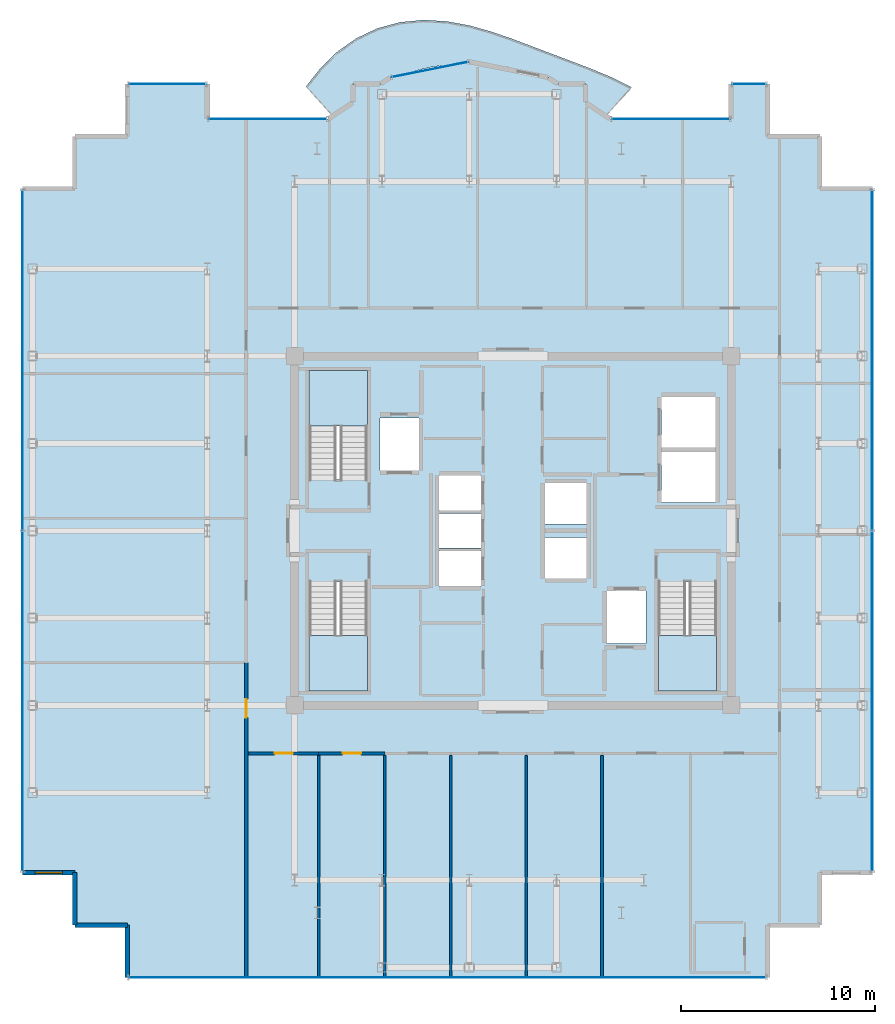
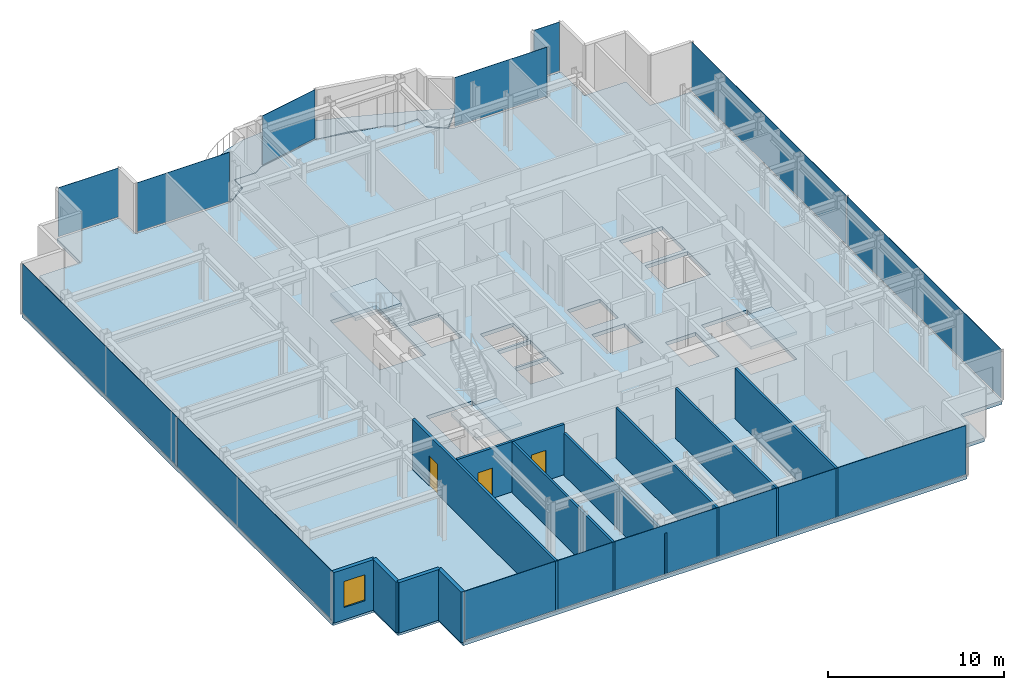
# One storey, part 12 of 18: 12 walls, 10 plates, 5 slabs, 3 doors, 1 window, 4 openings, 11 elements without a shape of their own.
"""IFC4 building model written with IfcOpenShell, lengths in metres."""

from ifc_helpers import new_model, si_unit, direction, frame, frame_2d, origin, origin_2d, place, context, subcontext, project, spatial, polyline, rectangle, outline, extrude, source, transform, mapped, material, layer, layer_set, type_object, element, fill, aggregate, save


model = new_model("IFC4")

# Units and contexts
model_context = context("Model", 3, precision=1e-05, world=origin(), true_north=direction((0.0, 1.0)))
body_context = subcontext(model_context, "Body", "Model", "MODEL_VIEW")
ifc_project = project(units=[si_unit("LENGTHUNIT", "METRE"), si_unit("AREAUNIT", "SQUARE_METRE"), si_unit("VOLUMEUNIT", "CUBIC_METRE"), si_unit("PLANEANGLEUNIT", "RADIAN"), si_unit("MASSUNIT", "GRAM", prefix="KILO")], contexts=[model_context])

# Site, building, storey
site_placement = place(None, origin())
site = spatial("IfcSite", under=ifc_project, at=site_placement, CompositionType="ELEMENT")
building_placement = place(site_placement, origin())
building = spatial("IfcBuilding", under=site, at=building_placement, Name="Nefas-Gora Pilgrimage Tower", CompositionType="ELEMENT")
storey_placement = place(building_placement, frame((0.0, 0.0, 314.0)))
storey = spatial("IfcBuildingStorey", under=building, at=storey_placement, Name="L79", CompositionType="ELEMENT", Elevation=314.0)

# Slabs
ifc_material_1 = material(Name="Concrete C40/50", Category="concrete")
ifc_layer_1 = layer(ifc_material_1, 0.22509765625)
ifc_layer_set_1 = layer_set([ifc_layer_1], Name="Concrete C40/50")
slab_type_1 = type_object("IfcSlabType", Name="SLB-BAL-P4", PredefinedType="FLOOR", material=ifc_layer_set_1)
slab_1_placement = place(storey_placement, frame((0.0, 0.0, -0.22509765625)))
element("IfcSlab", 1, at=slab_1_placement, inside=storey, type_object=slab_type_1, Name="L79 Sinusoidal Lobe Balcony Slab N (Phase 4)", PredefinedType="FLOOR", context=body_context, shape_type="SweptSolid", body=[
    extrude(outline(polyline([(-9.28759765625, 21.385986328125), (-9.224609375, 21.427978515625), (-8.538330078125, 21.9912109375), (-8.260009765625, 22.179931640625), (-8.260009765625, 23.02001953125), (-8.260009765625, 23.02099609375), (-8.259765625, 23.02197265625), (-8.259521484375, 23.02294921875), (-8.25927734375, 23.023681640625), (-8.2587890625, 23.024658203125), (-8.25830078125, 23.025634765625), (-8.2578125, 23.0263671875), (-8.257080078125, 23.027099609375), (-8.25634765625, 23.027587890625), (-8.255615234375, 23.0283203125), (-8.254638671875, 23.02880859375), (-8.25390625, 23.029296875), (-8.2529296875, 23.029541015625), (-8.251953125, 23.02978515625), (-8.2509765625, 23.030029296875), (-8.25, 23.030029296875), (-6.8271484375, 23.030029296875), (-6.31298828125, 23.37353515625), (-6.31201171875, 23.3740234375), (-6.311279296875, 23.37451171875), (-6.310302734375, 23.375), (-6.309326171875, 23.375), (-5.63037109375, 23.51025390625), (-5.102783203125, 23.685302734375), (-4.165283203125, 23.904052734375), (-3.211669921875, 24.035888671875), (-2.919921875, 24.04931640625), (-2.251953125, 24.18212890625), (-2.2509765625, 24.182373046875), (-2.25, 24.182373046875), (-2.2490234375, 24.182373046875), (-2.248046875, 24.18212890625), (-1.580078125, 24.04931640625), (-1.288330078125, 24.035888671875), (-0.334716796875, 23.904052734375), (0.602783203125, 23.685302734375), (1.13037109375, 23.51025390625), (1.809326171875, 23.375), (1.810302734375, 23.375), (1.811279296875, 23.37451171875), (1.81201171875, 23.3740234375), (1.81298828125, 23.37353515625), (2.3271484375, 23.030029296875), (3.75, 23.030029296875), (3.7509765625, 23.030029296875), (3.751953125, 23.02978515625), (3.7529296875, 23.029541015625), (3.75390625, 23.029296875), (3.754638671875, 23.02880859375), (3.755615234375, 23.0283203125), (3.75634765625, 23.027587890625), (3.757080078125, 23.027099609375), (3.7578125, 23.0263671875), (3.75830078125, 23.025634765625), (3.7587890625, 23.024658203125), (3.75927734375, 23.023681640625), (3.759521484375, 23.02294921875), (3.759765625, 23.02197265625), (3.760009765625, 23.02099609375), (3.760009765625, 23.02001953125), (3.760009765625, 22.179931640625), (4.038330078125, 21.9912109375), (4.724609375, 21.427978515625), (4.78759765625, 21.385986328125), (6.114013671875, 22.859375), (5.07080078125, 23.373779296875), (4.025390625, 23.810302734375), (2.994384765625, 24.20458984375), (1.978759765625, 24.58642578125), (0.965576171875, 24.9716796875), (-0.06494140625, 25.359130859375), (-1.1328125, 25.7275390625), (-2.25, 26.041015625), (-3.41552734375, 26.25390625), (-4.61328125, 26.321533203125), (-5.814208984375, 26.20751953125), (-6.97998046875, 25.89208984375), (-8.072021484375, 25.375732421875), (-9.05810546875, 24.6796875), (-9.9189453125, 23.840087890625), (-10.653076171875, 22.902587890625), (-9.28759765625, 21.385986328125)])), origin(), (0.0, 0.0, 1.0), 0.22509765625),
])
ifc_layer_2 = layer(ifc_material_1, 0.25)
ifc_layer_set_2 = layer_set([ifc_layer_2], Name="Concrete C40/50")
slab_type_2 = type_object("IfcSlabType", Name="SLB-TWR-260", PredefinedType="FLOOR", material=ifc_layer_set_2)
slab_2_placement = place(storey_placement, frame((0.0, 0.0, -0.25)))
element("IfcSlab", 2, at=slab_2_placement, inside=storey, type_object=slab_type_2, Name="L79 Structural Floor Slab", PredefinedType="FLOOR", context=body_context, shape_type="SweptSolid", body=[
    extrude(outline(polyline([(15.820068359375, -17.6201171875), (18.52001953125, -17.6201171875), (18.52001953125, 17.6201171875), (15.820068359375, 17.6201171875), (15.820068359375, 20.320068359375), (13.1201171875, 20.320068359375), (13.1201171875, 23.02001953125), (11.25, 23.02001953125), (11.25, 21.219970703125), (5.01806640625, 21.219970703125), (3.75, 22.0673828125), (3.75, 23.02001953125), (2.32421875, 23.02001953125), (1.807373046875, 23.365234375), (-2.25, 24.17236328125), (-6.307373046875, 23.365234375), (-6.82421875, 23.02001953125), (-8.25, 23.02001953125), (-8.25, 22.0673828125), (-9.51806640625, 21.219970703125), (-15.75, 21.219970703125), (-15.75, 23.02001953125), (-19.8701171875, 23.02001953125), (-19.8701171875, 20.320068359375), (-22.570068359375, 20.320068359375), (-22.570068359375, 17.6201171875), (-25.27001953125, 17.6201171875), (-25.27001953125, -17.6201171875), (-22.570068359375, -17.6201171875), (-22.570068359375, -20.320068359375), (-19.8701171875, -20.320068359375), (-19.8701171875, -23.02001953125), (13.1201171875, -23.02001953125), (13.1201171875, -20.320068359375), (15.820068359375, -20.320068359375), (15.820068359375, -17.6201171875)]), holes=[polyline([(-10.5, 2.639892578125), (-10.5, 8.25), (-7.5, 8.25), (-7.5, 2.639892578125), (-10.5, 2.639892578125)]), polyline([(10.5, -2.639892578125), (10.5, -8.25), (7.5, -8.25), (7.5, -2.639892578125), (10.5, -2.639892578125)]), polyline([(-7.5, -2.639892578125), (-7.5, -8.25), (-10.5, -8.25), (-10.5, -2.639892578125), (-7.5, -2.639892578125)]), polyline([(-6.85009765625, 5.800048828125), (-4.85009765625, 5.800048828125), (-4.85009765625, 3.10009765625), (-6.85009765625, 3.10009765625), (-6.85009765625, 5.800048828125)]), polyline([(4.85009765625, -3.10009765625), (6.85009765625, -3.10009765625), (6.85009765625, -5.800048828125), (4.85009765625, -5.800048828125), (4.85009765625, -3.10009765625)]), polyline([(7.64990234375, 4.050048828125), (10.449951171875, 4.050048828125), (10.449951171875, 1.449951171875), (7.64990234375, 1.449951171875), (7.64990234375, 4.050048828125)]), polyline([(7.64990234375, 6.89990234375), (10.449951171875, 6.89990234375), (10.449951171875, 4.300048828125), (7.64990234375, 4.300048828125), (7.64990234375, 6.89990234375)]), polyline([(-3.800048828125, -1.050048828125), (-1.64990234375, -1.050048828125), (-1.64990234375, -2.85009765625), (-3.800048828125, -2.85009765625), (-3.800048828125, -1.050048828125)]), polyline([(-3.800048828125, 0.89990234375), (-1.64990234375, 0.89990234375), (-1.64990234375, -0.89990234375), (-3.800048828125, -0.89990234375), (-3.800048828125, 0.89990234375)]), polyline([(-3.800048828125, 2.85009765625), (-1.64990234375, 2.85009765625), (-1.64990234375, 1.050048828125), (-3.800048828125, 1.050048828125), (-3.800048828125, 2.85009765625)]), polyline([(1.64990234375, -0.35009765625), (3.800048828125, -0.35009765625), (3.800048828125, -2.449951171875), (1.64990234375, -2.449951171875), (1.64990234375, -0.35009765625)]), polyline([(1.64990234375, 2.449951171875), (3.800048828125, 2.449951171875), (3.800048828125, 0.35009765625), (1.64990234375, 0.35009765625), (1.64990234375, 2.449951171875)])]), origin(), (0.0, 0.0, 1.0), 0.25),
])

# Stair, slab
ifc_material_2 = material(Name="Concrete C45/55", Category="concrete")
stair_type = type_object("IfcStairType", Name="STR-1400-R1727", PredefinedType="HALF_TURN_STAIR", material=ifc_material_2)
stair_1_placement = place(storey_placement, origin())
stair_1 = element("IfcStair", 3, at=stair_1_placement, inside=storey, type_object=stair_type, Name="L79 Pressurised Tower Exit Stair ST-01", PredefinedType="HALF_TURN_STAIR")
ifc_layer_3 = layer(ifc_material_1, 0.199951171875)
ifc_layer_set_3 = layer_set([ifc_layer_3], Name="Concrete C40/50")
slab_type_3 = type_object("IfcSlabType", Name="STR-LAND-200", PredefinedType="LANDING", material=ifc_layer_set_3)
slab_3_placement = place(storey_placement, frame((0.0, 0.0, 1.699951171875)))
slab_3 = element("IfcSlab", 4, at=slab_3_placement, type_object=slab_type_3, Name="ST-01 landing 1", PredefinedType="LANDING", context=body_context, shape_type="SweptSolid", body=[
    extrude(outline(polyline([(-7.5, 5.39990234375), (-7.5, 8.25), (-10.5, 8.25), (-10.5, 5.39990234375), (-7.5, 5.39990234375)])), origin(), (0.0, 0.0, 1.0), 0.199951171875),
])
aggregate(stair_1, [slab_3])

stair_2_placement = place(storey_placement, origin())
stair_2 = element("IfcStair", 5, at=stair_2_placement, inside=storey, type_object=stair_type, Name="L79 Pressurised Tower Exit Stair ST-02", PredefinedType="HALF_TURN_STAIR")
slab_4_placement = place(storey_placement, frame((0.0, 0.0, 1.699951171875)))
slab_4 = element("IfcSlab", 6, at=slab_4_placement, type_object=slab_type_3, Name="ST-02 landing 1", PredefinedType="LANDING", context=body_context, shape_type="SweptSolid", body=[
    extrude(outline(polyline([(7.5, -5.39990234375), (7.5, -8.25), (10.5, -8.25), (10.5, -5.39990234375), (7.5, -5.39990234375)])), origin(), (0.0, 0.0, 1.0), 0.199951171875),
])
aggregate(stair_2, [slab_4])

stair_3_placement = place(storey_placement, origin())
stair_3 = element("IfcStair", 7, at=stair_3_placement, inside=storey, type_object=stair_type, Name="L79 Pressurised Tower Exit Stair ST-03", PredefinedType="HALF_TURN_STAIR")
slab_5_placement = place(storey_placement, frame((0.0, 0.0, 1.699951171875)))
slab_5 = element("IfcSlab", 8, at=slab_5_placement, type_object=slab_type_3, Name="ST-03 landing 1", PredefinedType="LANDING", context=body_context, shape_type="SweptSolid", body=[
    extrude(outline(polyline([(-10.5, -5.39990234375), (-10.5, -8.25), (-7.5, -8.25), (-7.5, -5.39990234375), (-10.5, -5.39990234375)])), origin(), (0.0, 0.0, 1.0), 0.199951171875),
])
aggregate(stair_3, [slab_5])

# Curtain wall, plate
ifc_material_3 = material(Name="Dark ceramic-fritted solar-control aluminium-glass curtain wall", Category="aluminium")
ifc_layer_4 = layer(ifc_material_3, 0.219970703125)
ifc_layer_set_4 = layer_set([ifc_layer_4], Name="Dark ceramic-fritted solar-control aluminium-glass curtain wall")
curtain_wall_type_1 = type_object("IfcCurtainWallType", Name="CW-SYS-5", PredefinedType="NOTDEFINED", material=ifc_layer_set_4)
curtain_wall_1_placement = place(storey_placement, origin())
curtain_wall_1 = element("IfcCurtainWall", 9, at=curtain_wall_1_placement, inside=storey, type_object=curtain_wall_type_1, Name="L79 Unitised Curtain Wall CW5", PredefinedType="NOTDEFINED")
ifc_material_4 = material(Name="Dark ceramic-printed low-e insulated glass", Category="glass")
ifc_layer_5 = layer(ifc_material_4, 0.028076171875)
ifc_layer_set_5 = layer_set([ifc_layer_5], Name="Dark ceramic-printed low-e insulated glass")
plate_type_1 = type_object("IfcPlateType", Name="CWP-PNL-5", PredefinedType="CURTAIN_PANEL", material=ifc_layer_set_5)
shared_shape_1 = source(origin(), body_context, "Body", "SweptSolid", [
    extrude(rectangle(XDim=6.052001953125, YDim=0.028076171875, at=origin_2d()), origin(), (0.0, 0.0, 1.0), 3.389892578125),
])
plate_1_placement = place(storey_placement, frame((8.134033203125, 21.219970703125, 0.10009765625), z_axis=(0.0, 0.0, 1.0), x_axis=(-1.0, 0.0, 0.0)))
plate_1 = element("IfcPlate", 10, at=plate_1_placement, type_object=plate_type_1, Name="CW5 Ceramic-Fritted Glazing Panel 1", PredefinedType="CURTAIN_PANEL", context=body_context, shape_type="MappedRepresentation", body=[
    mapped(shared_shape_1, transform((0.0, 0.0, 0.0), x_axis=(1.0, 0.0, 0.0), y_axis=(0.0, 1.0, 0.0), z_axis=(0.0, 0.0, 1.0), scale=1.0)),
])
aggregate(curtain_wall_1, [plate_1])

curtain_wall_2_placement = place(storey_placement, origin())
curtain_wall_2 = element("IfcCurtainWall", 11, at=curtain_wall_2_placement, inside=storey, type_object=curtain_wall_type_1, Name="L79 Unitised Curtain Wall CW5", PredefinedType="NOTDEFINED")
plate_2_placement = place(storey_placement, frame((-12.634033203125, 21.219970703125, 0.10009765625), z_axis=(0.0, 0.0, 1.0), x_axis=(-1.0, 0.0, 0.0)))
plate_2 = element("IfcPlate", 12, at=plate_2_placement, type_object=plate_type_1, Name="CW5 Ceramic-Fritted Glazing Panel 1", PredefinedType="CURTAIN_PANEL", context=body_context, shape_type="MappedRepresentation", body=[
    mapped(shared_shape_1, transform((0.0, 0.0, 0.0), x_axis=(1.0, 0.0, 0.0), y_axis=(0.0, 1.0, 0.0), z_axis=(0.0, 0.0, 1.0), scale=1.0)),
])
aggregate(curtain_wall_2, [plate_2])

curtain_wall_3_placement = place(storey_placement, origin())
curtain_wall_3 = element("IfcCurtainWall", 13, at=curtain_wall_3_placement, inside=storey, type_object=curtain_wall_type_1, Name="L79 Unitised Curtain Wall CW5", PredefinedType="NOTDEFINED")
shared_shape_2 = source(origin(), body_context, "Body", "SweptSolid", [
    extrude(rectangle(XDim=3.956787109375, YDim=0.028076171875, at=origin_2d()), origin(), (0.0, 0.0, 1.0), 3.389892578125),
])
plate_3_placement = place(storey_placement, frame((-4.278564453125, 23.768798828125, 0.10009765625), z_axis=(0.0, 0.0, 1.0), x_axis=(-0.980782896852, -0.195102304554, 0.0)))
plate_3 = element("IfcPlate", 14, at=plate_3_placement, type_object=plate_type_1, Name="CW5 Ceramic-Fritted Glazing Panel 1", PredefinedType="CURTAIN_PANEL", context=body_context, shape_type="MappedRepresentation", body=[
    mapped(shared_shape_2, transform((0.0, 0.0, 0.0), x_axis=(1.0, 0.0, 0.0), y_axis=(0.0, 1.0, 0.0), z_axis=(0.0, 0.0, 1.0), scale=1.0)),
])
aggregate(curtain_wall_3, [plate_3])

# Curtain wall, plates
ifc_layer_6 = layer(ifc_material_3, 0.219970703125)
ifc_layer_set_6 = layer_set([ifc_layer_6], Name="Dark ceramic-fritted solar-control aluminium-glass curtain wall")
curtain_wall_type_2 = type_object("IfcCurtainWallType", Name="CW-SYS-4", PredefinedType="NOTDEFINED", material=ifc_layer_set_6)
curtain_wall_4_placement = place(storey_placement, origin())
curtain_wall_4 = element("IfcCurtainWall", 15, at=curtain_wall_4_placement, inside=storey, type_object=curtain_wall_type_2, Name="L79 Unitised Curtain Wall CW4", PredefinedType="NOTDEFINED")
ifc_layer_7 = layer(ifc_material_4, 0.030029296875)
ifc_layer_set_7 = layer_set([ifc_layer_7], Name="Dark ceramic-printed low-e insulated glass")
plate_type_2 = type_object("IfcPlateType", Name="CWP-PNL-4", PredefinedType="CURTAIN_PANEL", material=ifc_layer_set_7)
shared_shape_3 = source(origin(), body_context, "Body", "SweptSolid", [
    extrude(rectangle(XDim=17.485107421875, YDim=0.030029296875, at=origin_2d()), origin(), (0.0, 0.0, 1.0), 3.389892578125),
])
plate_4_placement = place(storey_placement, frame((18.52001953125, -8.78759765625, 0.10009765625), z_axis=(0.0, 0.0, 1.0), x_axis=(0.0, 1.0, 0.0)))
plate_4 = element("IfcPlate", 16, at=plate_4_placement, type_object=plate_type_2, Name="CW4 Ceramic-Fritted Glazing Panel 1", PredefinedType="CURTAIN_PANEL", context=body_context, shape_type="MappedRepresentation", body=[
    mapped(shared_shape_3, transform((0.0, 0.0, 0.0), x_axis=(1.0, 0.0, 0.0), y_axis=(0.0, 1.0, 0.0), z_axis=(0.0, 0.0, 1.0), scale=1.0)),
])
plate_5_placement = place(storey_placement, frame((18.52001953125, 8.78759765625, 0.10009765625), z_axis=(0.0, 0.0, 1.0), x_axis=(0.0, 1.0, 0.0)))
plate_5 = element("IfcPlate", 17, at=plate_5_placement, type_object=plate_type_2, Name="CW4 Ceramic-Fritted Glazing Panel 2", PredefinedType="CURTAIN_PANEL", context=body_context, shape_type="MappedRepresentation", body=[
    mapped(shared_shape_3, transform((0.0, 0.0, 0.0), x_axis=(1.0, 0.0, 0.0), y_axis=(0.0, 1.0, 0.0), z_axis=(0.0, 0.0, 1.0), scale=1.0)),
])
aggregate(curtain_wall_4, [plate_4, plate_5])

curtain_wall_5_placement = place(storey_placement, origin())
curtain_wall_5 = element("IfcCurtainWall", 18, at=curtain_wall_5_placement, inside=storey, type_object=curtain_wall_type_2, Name="L79 Unitised Curtain Wall CW4", PredefinedType="NOTDEFINED")
plate_6_placement = place(storey_placement, frame((-25.27001953125, 8.78759765625, 0.10009765625), z_axis=(0.0, 0.0, 1.0), x_axis=(0.0, -1.0, 0.0)))
plate_6 = element("IfcPlate", 19, at=plate_6_placement, type_object=plate_type_2, Name="CW4 Ceramic-Fritted Glazing Panel 1", PredefinedType="CURTAIN_PANEL", context=body_context, shape_type="MappedRepresentation", body=[
    mapped(shared_shape_3, transform((0.0, 0.0, 0.0), x_axis=(1.0, 0.0, 0.0), y_axis=(0.0, 1.0, 0.0), z_axis=(0.0, 0.0, 1.0), scale=1.0)),
])
plate_7_placement = place(storey_placement, frame((-25.27001953125, -8.78759765625, 0.10009765625), z_axis=(0.0, 0.0, 1.0), x_axis=(0.0, -1.0, 0.0)))
plate_7 = element("IfcPlate", 20, at=plate_7_placement, type_object=plate_type_2, Name="CW4 Ceramic-Fritted Glazing Panel 2", PredefinedType="CURTAIN_PANEL", context=body_context, shape_type="MappedRepresentation", body=[
    mapped(shared_shape_3, transform((0.0, 0.0, 0.0), x_axis=(1.0, 0.0, 0.0), y_axis=(0.0, 1.0, 0.0), z_axis=(0.0, 0.0, 1.0), scale=1.0)),
])
aggregate(curtain_wall_5, [plate_6, plate_7])

# Curtain wall, plate
curtain_wall_6_placement = place(storey_placement, origin())
curtain_wall_6 = element("IfcCurtainWall", 21, at=curtain_wall_6_placement, inside=storey, type_object=curtain_wall_type_2, Name="L79 Unitised Curtain Wall CW4", PredefinedType="NOTDEFINED")
shared_shape_4 = source(origin(), body_context, "Body", "SweptSolid", [
    extrude(rectangle(XDim=1.68994140625, YDim=0.030029296875, at=origin_2d()), origin(), (0.0, 0.0, 1.0), 3.389892578125),
])
plate_8_placement = place(storey_placement, frame((12.18505859375, 23.02001953125, 0.10009765625), z_axis=(0.0, 0.0, 1.0), x_axis=(-1.0, 0.0, 0.0)))
plate_8 = element("IfcPlate", 22, at=plate_8_placement, type_object=plate_type_2, Name="CW4 Ceramic-Fritted Glazing Panel 1", PredefinedType="CURTAIN_PANEL", context=body_context, shape_type="MappedRepresentation", body=[
    mapped(shared_shape_4, transform((0.0, 0.0, 0.0), x_axis=(1.0, 0.0, 0.0), y_axis=(0.0, 1.0, 0.0), z_axis=(0.0, 0.0, 1.0), scale=1.0)),
])
aggregate(curtain_wall_6, [plate_8])

curtain_wall_7_placement = place(storey_placement, origin())
curtain_wall_7 = element("IfcCurtainWall", 23, at=curtain_wall_7_placement, inside=storey, type_object=curtain_wall_type_2, Name="L79 Unitised Curtain Wall CW4", PredefinedType="NOTDEFINED")
shared_shape_5 = source(origin(), body_context, "Body", "SweptSolid", [
    extrude(rectangle(XDim=3.93994140625, YDim=0.030029296875, at=origin_2d()), origin(), (0.0, 0.0, 1.0), 3.389892578125),
])
plate_9_placement = place(storey_placement, frame((-17.81005859375, 23.02001953125, 0.10009765625), z_axis=(0.0, 0.0, 1.0), x_axis=(-1.0, 0.0, 0.0)))
plate_9 = element("IfcPlate", 24, at=plate_9_placement, type_object=plate_type_2, Name="CW4 Ceramic-Fritted Glazing Panel 1", PredefinedType="CURTAIN_PANEL", context=body_context, shape_type="MappedRepresentation", body=[
    mapped(shared_shape_5, transform((0.0, 0.0, 0.0), x_axis=(1.0, 0.0, 0.0), y_axis=(0.0, 1.0, 0.0), z_axis=(0.0, 0.0, 1.0), scale=1.0)),
])
aggregate(curtain_wall_7, [plate_9])

curtain_wall_8_placement = place(storey_placement, origin())
curtain_wall_8 = element("IfcCurtainWall", 25, at=curtain_wall_8_placement, inside=storey, type_object=curtain_wall_type_2, Name="L79 Unitised Curtain Wall CW4", PredefinedType="NOTDEFINED")
shared_shape_6 = source(origin(), body_context, "Body", "SweptSolid", [
    extrude(rectangle(XDim=32.81005859375, YDim=0.030029296875, at=origin_2d()), origin(), (0.0, 0.0, 1.0), 3.389892578125),
])
plate_10_placement = place(storey_placement, frame((-3.375, -23.02001953125, 0.10009765625), z_axis=(0.0, 0.0, 1.0), x_axis=(1.0, 0.0, 0.0)))
plate_10 = element("IfcPlate", 26, at=plate_10_placement, type_object=plate_type_2, Name="CW4 Ceramic-Fritted Glazing Panel 1", PredefinedType="CURTAIN_PANEL", context=body_context, shape_type="MappedRepresentation", body=[
    mapped(shared_shape_6, transform((0.0, 0.0, 0.0), x_axis=(1.0, 0.0, 0.0), y_axis=(0.0, 1.0, 0.0), z_axis=(0.0, 0.0, 1.0), scale=1.0)),
])
aggregate(curtain_wall_8, [plate_10])

# Wall, opening, window
ifc_material_5 = material(Name="Precast concrete C45/55", Category="concrete")
ifc_layer_8 = layer(ifc_material_5, 0.239990234375)
ifc_layer_set_8 = layer_set([ifc_layer_8], Name="Precast concrete C45/55")
wall_type_1 = type_object("IfcWallType", Name="EW-SERR-240", PredefinedType="SHEAR", material=ifc_layer_set_8)
shared_shape_7 = source(origin(), body_context, "Body", "SweptSolid", [
    extrude(rectangle(XDim=2.699951171875, YDim=0.239990234375, at=frame_2d((1.35009765625, 0.0))), origin(), (0.0, 0.0, 1.0), 3.5),
])
wall_1_placement = place(storey_placement, frame((-25.27001953125, -17.6201171875, 0.0), z_axis=(0.0, 0.0, 1.0), x_axis=(1.0, 0.0, 0.0)))
wall_1 = element("IfcWall", 27, at=wall_1_placement, inside=storey, type_object=wall_type_1, Name="L79 Serrated Corner Shear Pier Wall 21", PredefinedType="SHEAR", context=body_context, shape_type="MappedRepresentation", body=[
    mapped(shared_shape_7, transform((0.0, 0.0, 0.0), x_axis=(1.0, 0.0, 0.0), y_axis=(0.0, 1.0, 0.0), z_axis=(0.0, 0.0, 1.0), scale=1.0)),
])
opening_1_placement = place(wall_1_placement, frame((0.64990234375, 0.0, 0.85009765625)))
opening_1 = element("IfcOpeningElement", 28, at=opening_1_placement, cuts=wall_1, Name="Opening W-V2", PredefinedType="OPENING", context=body_context, shape_type="SweptSolid", body=[
    extrude(rectangle(XDim=1.39990234375, YDim=1.800048828125, at=frame_2d((0.699951171875, 0.89990234375))), frame((0.0, 0.1298828125, 0.0), z_axis=(0.0, -1.0, 0.0), x_axis=(1.0, 0.0, 0.0)), (0.0, 0.0, 1.0), 0.260009765625),
])
ifc_material_6 = material(Name="Dark ceramic-fritted operable aluminium-glass window", Category="aluminium")
window_type = type_object("IfcWindowType", Name="WIN-VENT-1400x1800", PartitioningType="SINGLE_PANEL", PredefinedType="WINDOW", material=ifc_material_6)
shared_shape_8 = source(origin(), body_context, "Body", "SweptSolid", [
    extrude(rectangle(XDim=1.39990234375, YDim=1.800048828125, at=frame_2d((0.699951171875, 0.89990234375))), frame((0.0, 0.030029296875, 0.0), z_axis=(0.0, -1.0, 0.0), x_axis=(1.0, 0.0, 0.0)), (0.0, 0.0, 1.0), 0.06005859375),
])
window_placement = place(opening_1_placement, origin())
window = element("IfcWindow", 29, at=window_placement, inside=storey, type_object=window_type, Name="L79 Operable Parallel-Outswing Window 21", OverallHeight=1.800048828125, OverallWidth=1.39990234375, PartitioningType="SINGLE_PANEL", PredefinedType="WINDOW", context=body_context, shape_type="MappedRepresentation", body=[
    mapped(shared_shape_8, transform((0.0, 0.0, 0.0), x_axis=(1.0, 0.0, 0.0), y_axis=(0.0, 1.0, 0.0), z_axis=(0.0, 0.0, 1.0), scale=1.0)),
])
fill(opening_1, window)

# Walls
for number, where, z_axis, x_axis, name in (
    (30, (-22.570068359375, -17.6201171875, 0.0), (0.0, 0.0, 1.0), (0.0, -1.0, 0.0), "L79 Serrated Corner Shear Pier Wall 22"),
    (31, (-22.570068359375, -20.320068359375, 0.0), (0.0, 0.0, 1.0), (1.0, 0.0, 0.0), "L79 Serrated Corner Shear Pier Wall 23"),
    (32, (-19.8701171875, -20.320068359375, 0.0), (0.0, 0.0, 1.0), (0.0, -1.0, 0.0), "L79 Serrated Corner Shear Pier Wall 24"),
):
    element("IfcWall", number, at=place(storey_placement, frame(where, z_axis=z_axis, x_axis=x_axis)), inside=storey, type_object=wall_type_1, Name=name, PredefinedType="SHEAR", context=body_context, shape_type="MappedRepresentation", body=[
        mapped(shared_shape_7, transform((0.0, 0.0, 0.0), x_axis=(1.0, 0.0, 0.0), y_axis=(0.0, 1.0, 0.0), z_axis=(0.0, 0.0, 1.0), scale=1.0)),
    ])

# Wall, opening, door
ifc_material_7 = material(Name="Gypsum acoustic stud partition")
ifc_layer_9 = layer(ifc_material_7, 0.159912109375)
ifc_layer_set_9 = layer_set([ifc_layer_9], Name="Gypsum acoustic stud partition")
wall_type_2 = type_object("IfcWallType", Name="IW-CORR-160", PredefinedType="PARTITIONING", material=ifc_layer_set_9)
shared_shape_9 = source(origin(), body_context, "Body", "SweptSolid", [
    extrude(rectangle(XDim=3.625, YDim=0.159912109375, at=frame_2d((1.8125, 0.0))), origin(), (0.0, 0.0, 1.0), 3.485107421875),
])
wall_2_placement = place(storey_placement, frame((-13.6201171875, -11.469970703125, 0.0), z_axis=(0.0, 0.0, 1.0), x_axis=(1.0, 0.0, 0.0)))
wall_2 = element("IfcWall", 33, at=wall_2_placement, inside=storey, type_object=wall_type_2, Name="L79 Pilgrim Contemplative Lounge Partition Wall 65", PredefinedType="PARTITIONING", context=body_context, shape_type="MappedRepresentation", body=[
    mapped(shared_shape_9, transform((0.0, 0.0, 0.0), x_axis=(1.0, 0.0, 0.0), y_axis=(0.0, 1.0, 0.0), z_axis=(0.0, 0.0, 1.0), scale=1.0)),
])
opening_2_placement = place(wall_2_placement, frame((1.33740234375, 0.0, 0.0)))
opening_2 = element("IfcOpeningElement", 34, at=opening_2_placement, cuts=wall_2, Name="Opening ID-GR1", PredefinedType="OPENING", context=body_context, shape_type="SweptSolid", body=[
    extrude(rectangle(XDim=0.949951171875, YDim=2.10009765625, at=frame_2d((0.47509765625, 1.050048828125))), frame((0.0, 0.08984375, 0.0), z_axis=(0.0, -1.0, 0.0), x_axis=(1.0, 0.0, 0.0)), (0.0, 0.0, 1.0), 0.179931640625),
])
ifc_material_8 = material(Name="Solid core oak fire-rated guest entrance door")
door_type = type_object("IfcDoorType", Name="DR-INT-GUEST-950", OperationType="NOTDEFINED", PredefinedType="DOOR", material=ifc_material_8)
shared_shape_10 = source(origin(), body_context, "Body", "SweptSolid", [
    extrude(rectangle(XDim=0.949951171875, YDim=2.10009765625, at=frame_2d((0.47509765625, 1.050048828125))), frame((0.0, 0.02490234375, 0.0), z_axis=(0.0, -1.0, 0.0), x_axis=(1.0, 0.0, 0.0)), (0.0, 0.0, 1.0), 0.050048828125),
])
door_1_placement = place(opening_2_placement, origin())
door_1 = element("IfcDoor", 35, at=door_1_placement, inside=storey, type_object=door_type, Name="L79 Pilgrim Contemplative Lounge Door 30", OperationType="SINGLE_SWING_LEFT", OverallHeight=2.10009765625, OverallWidth=0.949951171875, PredefinedType="DOOR", context=body_context, shape_type="MappedRepresentation", body=[
    mapped(shared_shape_10, transform((0.0, 0.0, 0.0), x_axis=(1.0, 0.0, 0.0), y_axis=(0.0, 1.0, 0.0), z_axis=(0.0, 0.0, 1.0), scale=1.0)),
])
fill(opening_2, door_1)

shared_shape_11 = source(origin(), body_context, "Body", "SweptSolid", [
    extrude(rectangle(XDim=3.40478515625, YDim=0.159912109375, at=frame_2d((1.702392578125, 0.0))), origin(), (0.0, 0.0, 1.0), 3.485107421875),
])
wall_3_placement = place(storey_placement, frame((-10.0048828125, -11.469970703125, 0.0), z_axis=(0.0, 0.0, 1.0), x_axis=(1.0, 0.0, 0.0)))
wall_3 = element("IfcWall", 36, at=wall_3_placement, inside=storey, type_object=wall_type_2, Name="L79 Pilgrim Contemplative Lounge Partition Wall 67", PredefinedType="PARTITIONING", context=body_context, shape_type="MappedRepresentation", body=[
    mapped(shared_shape_11, transform((0.0, 0.0, 0.0), x_axis=(1.0, 0.0, 0.0), y_axis=(0.0, 1.0, 0.0), z_axis=(0.0, 0.0, 1.0), scale=1.0)),
])
opening_3_placement = place(wall_3_placement, frame((1.2275390625, 0.0, 0.0)))
opening_3 = element("IfcOpeningElement", 37, at=opening_3_placement, cuts=wall_3, Name="Opening ID-GR1", PredefinedType="OPENING", context=body_context, shape_type="SweptSolid", body=[
    extrude(rectangle(XDim=0.949951171875, YDim=2.10009765625, at=frame_2d((0.47509765625, 1.050048828125))), frame((0.0, 0.08984375, 0.0), z_axis=(0.0, -1.0, 0.0), x_axis=(1.0, 0.0, 0.0)), (0.0, 0.0, 1.0), 0.179931640625),
])
door_2_placement = place(opening_3_placement, origin())
door_2 = element("IfcDoor", 38, at=door_2_placement, inside=storey, type_object=door_type, Name="L79 Pilgrim Contemplative Lounge Door 31", OperationType="SINGLE_SWING_RIGHT", OverallHeight=2.10009765625, OverallWidth=0.949951171875, PredefinedType="DOOR", context=body_context, shape_type="MappedRepresentation", body=[
    mapped(shared_shape_10, transform((0.0, 0.0, 0.0), x_axis=(1.0, 0.0, 0.0), y_axis=(0.0, 1.0, 0.0), z_axis=(0.0, 0.0, 1.0), scale=1.0)),
])
fill(opening_3, door_2)

# Wall
ifc_material_9 = material(Name="Gypsum twin-stud partition")
ifc_layer_10 = layer(ifc_material_9, 0.139892578125)
ifc_layer_set_10 = layer_set([ifc_layer_10], Name="Gypsum twin-stud partition")
wall_type_3 = type_object("IfcWallType", Name="IW-UNIT-140", PredefinedType="PARTITIONING", material=ifc_layer_set_10)
shared_shape_12 = source(origin(), body_context, "Body", "SweptSolid", [
    extrude(rectangle(XDim=11.449951171875, YDim=0.139892578125, at=frame_2d((5.72509765625, 0.0))), origin(), (0.0, 0.0, 1.0), 2.925048828125),
])
wall_4_placement = place(storey_placement, frame((-6.610107421875, -23.0400390625, 0.0), z_axis=(0.0, 0.0, 1.0), x_axis=(0.0, 1.0, 0.0)))
element("IfcWall", 39, at=wall_4_placement, inside=storey, type_object=wall_type_3, Name="L79 Pilgrim Contemplative Lounge Partition Wall 68", PredefinedType="PARTITIONING", context=body_context, shape_type="MappedRepresentation", body=[
    mapped(shared_shape_12, transform((0.0, 0.0, 0.0), x_axis=(1.0, 0.0, 0.0), y_axis=(0.0, 1.0, 0.0), z_axis=(0.0, 0.0, 1.0), scale=1.0)),
])

# Wall, opening, door
shared_shape_13 = source(origin(), body_context, "Body", "SweptSolid", [
    extrude(rectangle(XDim=16.2451171875, YDim=0.159912109375, at=frame_2d((8.12255859375, 0.0))), origin(), (0.0, 0.0, 1.0), 3.485107421875),
])
wall_5_placement = place(storey_placement, frame((-13.739990234375, -23.0400390625, 0.0), z_axis=(0.0, 0.0, 1.0), x_axis=(0.0, 1.0, 0.0)))
wall_5 = element("IfcWall", 40, at=wall_5_placement, inside=storey, type_object=wall_type_2, Name="L79 Pilgrim Devotional Prayer Gallery Partition Wall 43", PredefinedType="PARTITIONING", context=body_context, shape_type="MappedRepresentation", body=[
    mapped(shared_shape_13, transform((0.0, 0.0, 0.0), x_axis=(1.0, 0.0, 0.0), y_axis=(0.0, 1.0, 0.0), z_axis=(0.0, 0.0, 1.0), scale=1.0)),
])
opening_4_placement = place(wall_5_placement, frame((13.41259765625, 0.0, 0.0)))
opening_4 = element("IfcOpeningElement", 41, at=opening_4_placement, cuts=wall_5, Name="Opening ID-GR1", PredefinedType="OPENING", context=body_context, shape_type="SweptSolid", body=[
    extrude(rectangle(XDim=0.949951171875, YDim=2.10009765625, at=frame_2d((0.47509765625, 1.050048828125))), frame((0.0, 0.08984375, 0.0), z_axis=(0.0, -1.0, 0.0), x_axis=(1.0, 0.0, 0.0)), (0.0, 0.0, 1.0), 0.179931640625),
])
door_3_placement = place(opening_4_placement, origin())
door_3 = element("IfcDoor", 42, at=door_3_placement, inside=storey, type_object=door_type, Name="L79 Pilgrim Devotional Prayer Gallery Door 17", OperationType="SINGLE_SWING_RIGHT", OverallHeight=2.10009765625, OverallWidth=0.949951171875, PredefinedType="DOOR", context=body_context, shape_type="MappedRepresentation", body=[
    mapped(shared_shape_10, transform((0.0, 0.0, 0.0), x_axis=(1.0, 0.0, 0.0), y_axis=(0.0, 1.0, 0.0), z_axis=(0.0, 0.0, 1.0), scale=1.0)),
])
fill(opening_4, door_3)

# Walls
shared_shape_14 = source(origin(), body_context, "Body", "SweptSolid", [
    extrude(rectangle(XDim=11.449951171875, YDim=0.139892578125, at=frame_2d((5.72509765625, 0.0))), origin(), (0.0, 0.0, 1.0), 3.485107421875),
])
for number, where, z_axis, x_axis, name in (
    (43, (-10.0048828125, -23.0400390625, 0.0), (0.0, 0.0, 1.0), (0.0, 1.0, 0.0), "L79 Pilgrim Contemplative Lounge Partition Wall 66"),
    (44, (-3.205078125, -23.0400390625, 0.0), (0.0, 0.0, 1.0), (0.0, 1.0, 0.0), "L79 Pastoral Chaplains Counselling Office Partition Wall 70"),
    (45, (0.68994140625, -23.0400390625, 0.0), (0.0, 0.0, 1.0), (0.0, 1.0, 0.0), "L79 Pilgrim Contemplative Lounge Partition Wall 72"),
    (46, (4.594970703125, -23.0400390625, 0.0), (0.0, 0.0, 1.0), (0.0, 1.0, 0.0), "L79 Pilgrim Contemplative Lounge Partition Wall 74"),
):
    element("IfcWall", number, at=place(storey_placement, frame(where, z_axis=z_axis, x_axis=x_axis)), inside=storey, type_object=wall_type_3, Name=name, PredefinedType="PARTITIONING", context=body_context, shape_type="MappedRepresentation", body=[
        mapped(shared_shape_14, transform((0.0, 0.0, 0.0), x_axis=(1.0, 0.0, 0.0), y_axis=(0.0, 1.0, 0.0), z_axis=(0.0, 0.0, 1.0), scale=1.0)),
    ])

save(model, "model.ifc")
